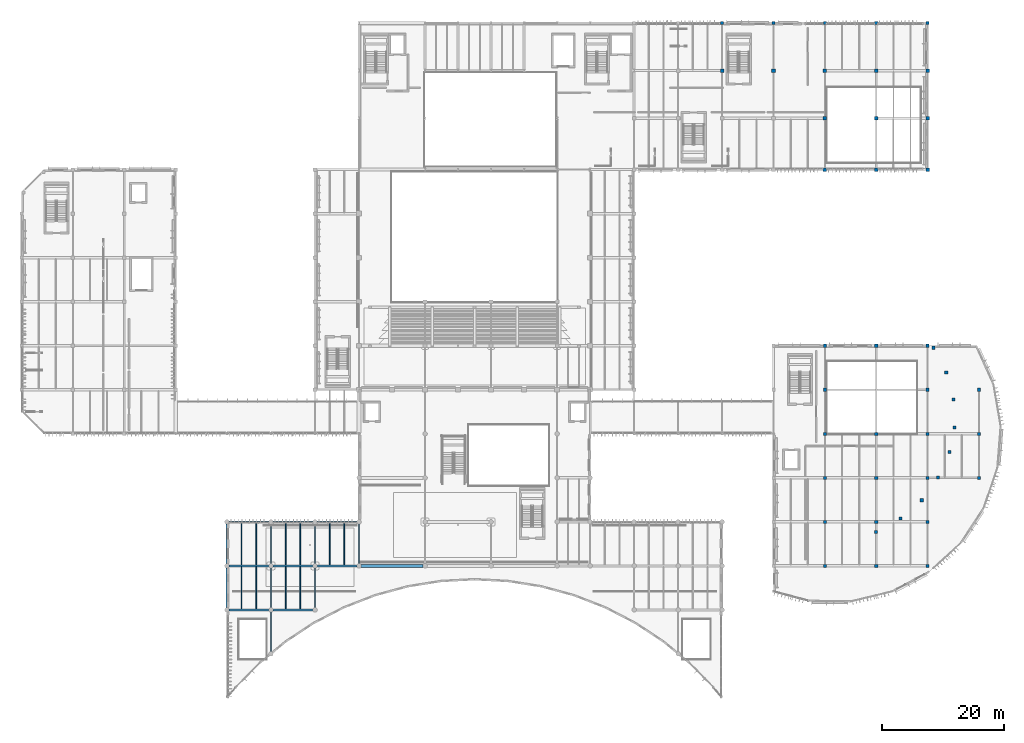
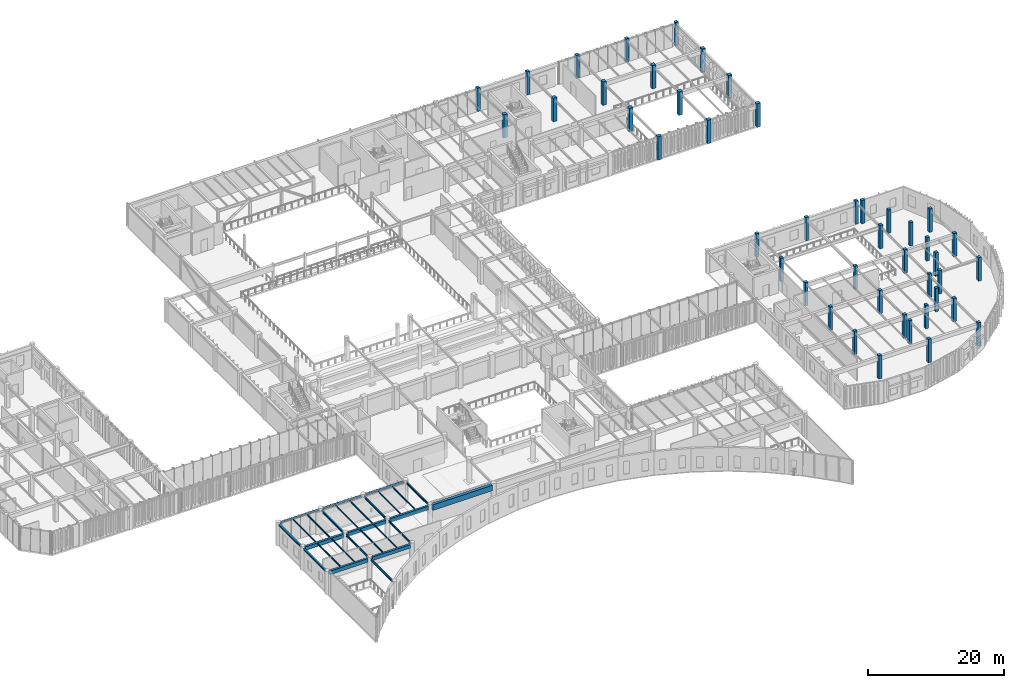
# One storey, part 11 of 122: 45 columns, 27 beams.
"""IFC4 building model written with IfcOpenShell, lengths in metres."""

from ifc_helpers import new_model, si_unit, direction, frame, origin, origin_2d, place, context, subcontext, project, spatial, rectangle, i_section, extrude, material, material_profile, profile_set, type_object, element, save


model = new_model("IFC4")

# Units and contexts
model_context = context("Model", 3, precision=1e-05, world=origin(), true_north=direction((0.0, 1.0)))
body_context = subcontext(model_context, "Body", "Model", "MODEL_VIEW")
ifc_project = project(units=[si_unit("LENGTHUNIT", "METRE"), si_unit("AREAUNIT", "SQUARE_METRE"), si_unit("VOLUMEUNIT", "CUBIC_METRE"), si_unit("PLANEANGLEUNIT", "RADIAN"), si_unit("MASSUNIT", "GRAM", prefix="KILO")], contexts=[model_context])

# Site, building, storey
site_placement = place(None, origin())
site = spatial("IfcSite", under=ifc_project, at=site_placement, CompositionType="ELEMENT")
building_placement = place(site_placement, origin())
building = spatial("IfcBuilding", under=site, at=building_placement, Name="Tazoul Stagehouse", CompositionType="ELEMENT")
storey_placement = place(building_placement, frame((0.0, 0.0, 4.800048828125)))
storey = spatial("IfcBuildingStorey", under=building, at=storey_placement, Name="L01", CompositionType="ELEMENT", Elevation=4.800048828125)

# Columns
ifc_material_1 = material(Name="Concrete C40/50", Category="concrete")
ifc_material_profile_1 = material_profile(ifc_material_1, rectangle(XDim=0.5, YDim=0.5, at=origin_2d()), Name="RC 500x500")
ifc_profile_set_1 = profile_set([ifc_material_profile_1], Name="Concrete C40/50")
column_type_1 = type_object("IfcColumnType", Name="RC Column 500x500", PredefinedType="COLUMN", material=ifc_profile_set_1)
for number, where, z_axis, x_axis, name in (
    (1, (133.800048828125, 23.0, 0.0), (0.0, 0.0, 1.0), (1.0, 0.0, 0.0), "L01 Column C-02 at 20/D"),
    (2, (133.800048828125, 30.199951171875, 0.0), (0.0, 0.0, 1.0), (1.0, 0.0, 0.0), "L01 Column C-02 at 20/E"),
    (3, (133.800048828125, 37.39990234375, 0.0), (0.0, 0.0, 1.0), (1.0, 0.0, 0.0), "L01 Column C-02 at 20/F"),
    (4, (133.800048828125, 44.60009765625, 0.0), (0.0, 0.0, 1.0), (1.0, 0.0, 0.0), "L01 Column C-02 at 20/G"),
    (5, (133.800048828125, 51.800048828125, 0.0), (0.0, 0.0, 1.0), (1.0, 0.0, 0.0), "L01 Column C-02 at 20/H"),
    (6, (142.199951171875, 23.0, 0.0), (0.0, 0.0, 1.0), (1.0, 0.0, 0.0), "L01 Column C-02 at 21/D"),
    (7, (142.199951171875, 30.199951171875, 0.0), (0.0, 0.0, 1.0), (1.0, 0.0, 0.0), "L01 Column C-02 at 21/E"),
    (8, (142.199951171875, 37.39990234375, 0.0), (0.0, 0.0, 1.0), (1.0, 0.0, 0.0), "L01 Column C-02 at 21/F"),
    (9, (142.199951171875, 44.60009765625, 0.0), (0.0, 0.0, 1.0), (1.0, 0.0, 0.0), "L01 Column C-02 at 21/G"),
    (10, (150.60009765625, 23.0, 0.0), (0.0, 0.0, 1.0), (1.0, 0.0, 0.0), "L01 Column C-02 at 22/D"),
    (11, (150.60009765625, 30.199951171875, 0.0), (0.0, 0.0, 1.0), (1.0, 0.0, 0.0), "L01 Column C-02 at 22/E"),
    (12, (150.60009765625, 37.39990234375, 0.0), (0.0, 0.0, 1.0), (1.0, 0.0, 0.0), "L01 Column C-02 at 22/F"),
    (13, (150.60009765625, 44.60009765625, 0.0), (0.0, 0.0, 1.0), (1.0, 0.0, 0.0), "L01 Column C-02 at 22/G"),
    (14, (150.60009765625, 51.800048828125, 0.0), (0.0, 0.0, 1.0), (1.0, 0.0, 0.0), "L01 Column C-02 at 22/H"),
    (15, (159.0, 37.39990234375, 0.0), (0.0, 0.0, 1.0), (1.0, 0.0, 0.0), "L01 Column C-02 at 23/F"),
    (16, (159.0, 44.60009765625, 0.0), (0.0, 0.0, 1.0), (1.0, 0.0, 0.0), "L01 Column C-02 at 23/G"),
    (17, (159.0, 51.800048828125, 0.0), (0.0, 0.0, 1.0), (1.0, 0.0, 0.0), "L01 Column C-02 at 23/H"),
    (18, (151.5283203125, 58.66943359375, 0.0), (0.0, 0.0, 1.0), (1.0, 0.0, 0.0), "L01 Studio Drum Perimeter Column C-02 (01)"),
    (19, (153.6494140625, 54.6162109375, 0.0), (0.0, 0.0, 1.0), (1.0, 0.0, 0.0), "L01 Studio Drum Perimeter Column C-02 (02)"),
    (20, (154.82373046875, 50.19482421875, 0.0), (0.0, 0.0, 1.0), (1.0, 0.0, 0.0), "L01 Studio Drum Perimeter Column C-02 (03)"),
    (21, (154.993408203125, 45.623291015625, 0.0), (0.0, 0.0, 1.0), (1.0, 0.0, 0.0), "L01 Studio Drum Perimeter Column C-02 (04)"),
    (22, (154.14990234375, 41.627197265625, 0.0), (0.0, 0.0, 1.0), (1.0, 0.0, 0.0), "L01 Studio Drum Perimeter Column C-02 (05)"),
    (23, (152.3349609375, 37.427978515625, 0.0), (0.0, 0.0, 1.0), (1.0, 0.0, 0.0), "L01 Studio Drum Perimeter Column C-02 (06)"),
    (24, (149.637939453125, 33.73291015625, 0.0), (0.0, 0.0, 1.0), (1.0, 0.0, 0.0), "L01 Studio Drum Perimeter Column C-02 (07)"),
    (25, (146.19189453125, 30.72412109375, 0.0), (0.0, 0.0, 1.0), (1.0, 0.0, 0.0), "L01 Studio Drum Perimeter Column C-02 (08)"),
    (26, (142.1669921875, 28.550048828125, 0.0), (0.0, 0.0, 1.0), (1.0, 0.0, 0.0), "L01 Studio Drum Perimeter Column C-02 (09)"),
):
    element("IfcColumn", number, at=place(storey_placement, frame(where, z_axis=z_axis, x_axis=x_axis)), inside=storey, type_object=column_type_1, Name=name, PredefinedType="COLUMN", context=body_context, shape_type="SweptSolid", body=[
        extrude(rectangle(XDim=0.5, YDim=0.5, at=origin_2d()), origin(), (0.0, 0.0, 1.0), 4.199951171875),
    ])
ifc_material_profile_2 = material_profile(ifc_material_1, rectangle(XDim=0.5, YDim=0.5, at=origin_2d()), Name="RC 500x500")
ifc_profile_set_2 = profile_set([ifc_material_profile_2], Name="Concrete C40/50")
column_type_2 = type_object("IfcColumnType", Name="RC Column 500x500 (Exterior)", PredefinedType="COLUMN", material=ifc_profile_set_2)
for number, where, z_axis, x_axis, name in (
    (27, (117.0, 111.800048828125, 0.0), (0.0, 0.0, 1.0), (1.0, 0.0, 0.0), "L01 Column C-02E at 18/R"),
    (28, (125.39990234375, 111.800048828125, 0.0), (0.0, 0.0, 1.0), (1.0, 0.0, 0.0), "L01 Column C-02E at 19/R"),
    (29, (133.800048828125, 59.0, 0.0), (0.0, 0.0, 1.0), (1.0, 0.0, 0.0), "L01 Column C-02E at 20/J"),
    (30, (133.800048828125, 111.800048828125, 0.0), (0.0, 0.0, 1.0), (1.0, 0.0, 0.0), "L01 Column C-02E at 20/R"),
    (31, (142.199951171875, 59.0, 0.0), (0.0, 0.0, 1.0), (1.0, 0.0, 0.0), "L01 Column C-02E at 21/J"),
    (32, (142.199951171875, 111.800048828125, 0.0), (0.0, 0.0, 1.0), (1.0, 0.0, 0.0), "L01 Column C-02E at 21/R"),
    (33, (150.60009765625, 59.0, 0.0), (0.0, 0.0, 1.0), (1.0, 0.0, 0.0), "L01 Column C-02E at 22/J"),
    (34, (150.60009765625, 111.800048828125, 0.0), (0.0, 0.0, 1.0), (1.0, 0.0, 0.0), "L01 Column C-02E at 22/R"),
):
    element("IfcColumn", number, at=place(storey_placement, frame(where, z_axis=z_axis, x_axis=x_axis)), inside=storey, type_object=column_type_2, Name=name, PredefinedType="COLUMN", context=body_context, shape_type="SweptSolid", body=[
        extrude(rectangle(XDim=0.5, YDim=0.5, at=origin_2d()), origin(), (0.0, 0.0, 1.0), 4.199951171875),
    ])
ifc_material_profile_3 = material_profile(ifc_material_1, rectangle(XDim=0.60009765625, YDim=0.60009765625, at=origin_2d()), Name="RC 600x600")
ifc_profile_set_3 = profile_set([ifc_material_profile_3], Name="Concrete C40/50")
column_type_3 = type_object("IfcColumnType", Name="RC Column 600x600", PredefinedType="COLUMN", material=ifc_profile_set_3)
for number, where, z_axis, x_axis, name in (
    (35, (117.0, 104.0, 0.0), (0.0, 0.0, 1.0), (1.0, 0.0, 0.0), "L01 Column C-03 at 18/Q"),
    (36, (125.39990234375, 104.0, 0.0), (0.0, 0.0, 1.0), (1.0, 0.0, 0.0), "L01 Column C-03 at 19/Q"),
    (37, (133.800048828125, 96.199951171875, 0.0), (0.0, 0.0, 1.0), (1.0, 0.0, 0.0), "L01 Column C-03 at 20/P"),
    (38, (133.800048828125, 104.0, 0.0), (0.0, 0.0, 1.0), (1.0, 0.0, 0.0), "L01 Column C-03 at 20/Q"),
    (39, (142.199951171875, 96.199951171875, 0.0), (0.0, 0.0, 1.0), (1.0, 0.0, 0.0), "L01 Column C-03 at 21/P"),
    (40, (142.199951171875, 104.0, 0.0), (0.0, 0.0, 1.0), (1.0, 0.0, 0.0), "L01 Column C-03 at 21/Q"),
):
    element("IfcColumn", number, at=place(storey_placement, frame(where, z_axis=z_axis, x_axis=x_axis)), inside=storey, type_object=column_type_3, Name=name, PredefinedType="COLUMN", context=body_context, shape_type="SweptSolid", body=[
        extrude(rectangle(XDim=0.60009765625, YDim=0.60009765625, at=origin_2d()), origin(), (0.0, 0.0, 1.0), 4.199951171875),
    ])
ifc_material_profile_4 = material_profile(ifc_material_1, rectangle(XDim=0.60009765625, YDim=0.60009765625, at=origin_2d()), Name="RC 600x600")
ifc_profile_set_4 = profile_set([ifc_material_profile_4], Name="Concrete C40/50")
column_type_4 = type_object("IfcColumnType", Name="RC Column 600x600 (Exterior)", PredefinedType="COLUMN", material=ifc_profile_set_4)
for number, where, z_axis, x_axis, name in (
    (41, (133.800048828125, 87.800048828125, 0.0), (0.0, 0.0, 1.0), (1.0, 0.0, 0.0), "L01 Column C-03E at 20/N"),
    (42, (142.199951171875, 87.800048828125, 0.0), (0.0, 0.0, 1.0), (1.0, 0.0, 0.0), "L01 Column C-03E at 21/N"),
    (43, (150.60009765625, 87.800048828125, 0.0), (0.0, 0.0, 1.0), (1.0, 0.0, 0.0), "L01 Column C-03E at 22/N"),
    (44, (150.60009765625, 96.199951171875, 0.0), (0.0, 0.0, 1.0), (1.0, 0.0, 0.0), "L01 Column C-03E at 22/P"),
    (45, (150.60009765625, 104.0, 0.0), (0.0, 0.0, 1.0), (1.0, 0.0, 0.0), "L01 Column C-03E at 22/Q"),
):
    element("IfcColumn", number, at=place(storey_placement, frame(where, z_axis=z_axis, x_axis=x_axis)), inside=storey, type_object=column_type_4, Name=name, PredefinedType="COLUMN", context=body_context, shape_type="SweptSolid", body=[
        extrude(rectangle(XDim=0.60009765625, YDim=0.60009765625, at=origin_2d()), origin(), (0.0, 0.0, 1.0), 4.199951171875),
    ])

# Beams
ifc_material_profile_5 = material_profile(ifc_material_1, rectangle(XDim=0.35009765625, YDim=0.64990234375, at=origin_2d()), Name="RC 350x650")
ifc_profile_set_5 = profile_set([ifc_material_profile_5], Name="Concrete C40/50")
beam_type_1 = type_object("IfcBeamType", Name="RC Primary Girder 350x650", PredefinedType="BEAM", material=ifc_profile_set_5)
for number, where, z_axis, x_axis, name in (
    (46, (36.35009765625, 15.800048828125, 3.613037109375), (1.0, 0.0, 0.0), (0.0, 1.0, 0.0), "L01 Beam BM-01 C/5-6"),
    (47, (43.550048828125, 15.800048828125, 3.613037109375), (1.0, 0.0, 0.0), (0.0, 1.0, 0.0), "L01 Beam BM-01 C/6-7"),
    (48, (36.35009765625, 23.0, 3.613037109375), (1.0, 0.0, 0.0), (0.0, 1.0, 0.0), "L01 Beam BM-01 D/5-6"),
    (49, (43.550048828125, 23.0, 3.613037109375), (1.0, 0.0, 0.0), (0.0, 1.0, 0.0), "L01 Beam BM-01 D/6-7"),
    (50, (50.75, 23.0, 3.613037109375), (1.0, 0.0, 0.0), (0.0, 1.0, 0.0), "L01 Beam BM-01 D/7-8"),
):
    element("IfcBeam", number, at=place(storey_placement, frame(where, z_axis=z_axis, x_axis=x_axis)), inside=storey, type_object=beam_type_1, Name=name, PredefinedType="BEAM", context=body_context, shape_type="SweptSolid", body=[
        extrude(rectangle(XDim=0.35009765625, YDim=0.64990234375, at=origin_2d()), origin(), (0.0, 0.0, 1.0), 6.5),
    ])
ifc_material_profile_6 = material_profile(ifc_material_1, rectangle(XDim=0.5, YDim=1.0, at=origin_2d()), Name="RC 500x1000")
ifc_profile_set_6 = profile_set([ifc_material_profile_6], Name="Concrete C40/50")
beam_type_2 = type_object("IfcBeamType", Name="RC Transfer Girder 500x1000", PredefinedType="BEAM", material=ifc_profile_set_6)
beam_placement = place(storey_placement, frame((57.949951171875, 23.0, 3.43798828125), z_axis=(1.0, 0.0, 0.0), x_axis=(0.0, 1.0, 0.0)))
element("IfcBeam", 51, at=beam_placement, inside=storey, type_object=beam_type_2, Name="L01 Beam BM-04 D/8-10", PredefinedType="BEAM", context=body_context, shape_type="SweptSolid", body=[
    extrude(rectangle(XDim=0.5, YDim=1.0, at=origin_2d()), origin(), (0.0, 0.0, 1.0), 10.10009765625),
])
ifc_material_2 = material(Name="Steel S355", Category="steel")
ifc_material_profile_7 = material_profile(ifc_material_2, i_section(OverallWidth=0.300048828125, OverallDepth=0.2900390625, WebThickness=0.008544921875, FlangeThickness=0.013916015625, FilletRadius=0.027099609375, at=origin_2d()), Name="HEA 300")
ifc_profile_set_7 = profile_set([ifc_material_profile_7], Name="Steel S355")
beam_type_3 = type_object("IfcBeamType", Name="Steel Crescent Spandrel HEA 300 (Exterior)", PredefinedType="SPANDREL", material=ifc_profile_set_7)
for number, where, z_axis, x_axis, name in (
    (52, (36.35009765625, 30.199951171875, 3.79296875), (1.0, 0.0, 0.0), (0.0, 1.0, 0.0), "L01 Beam SP-03E E/5-6"),
    (53, (43.550048828125, 30.199951171875, 3.79296875), (1.0, 0.0, 0.0), (0.0, 1.0, 0.0), "L01 Beam SP-03E E/6-7"),
    (54, (50.75, 30.199951171875, 3.79296875), (1.0, 0.0, 0.0), (0.0, 1.0, 0.0), "L01 Beam SP-03E E/7-8"),
):
    element("IfcBeam", number, at=place(storey_placement, frame(where, z_axis=z_axis, x_axis=x_axis)), inside=storey, type_object=beam_type_3, Name=name, PredefinedType="SPANDREL", context=body_context, shape_type="SweptSolid", body=[
        extrude(i_section(OverallWidth=0.300048828125, OverallDepth=0.2900390625, WebThickness=0.008544921875, FlangeThickness=0.013916015625, FilletRadius=0.027099609375, at=origin_2d()), origin(), (0.0, 0.0, 1.0), 6.5),
    ])
ifc_material_profile_8 = material_profile(ifc_material_2, i_section(OverallWidth=0.280029296875, OverallDepth=0.27001953125, WebThickness=0.008056640625, FlangeThickness=0.012939453125, FilletRadius=0.02392578125, at=origin_2d()), Name="HEA 280")
ifc_profile_set_8 = profile_set([ifc_material_profile_8], Name="Steel S355")
beam_type_4 = type_object("IfcBeamType", Name="Steel Facade Spandrel HEA 280 (Exterior)", PredefinedType="SPANDREL", material=ifc_profile_set_8)
for number, where, z_axis, x_axis, name in (
    (55, (36.0, 16.14990234375, 3.802978515625), (0.0, 1.0, 0.0), (-1.0, 0.0, 0.0), "L01 Beam SP-02E 5/C-D"),
    (56, (36.0, 23.35009765625, 3.802978515625), (0.0, 1.0, 0.0), (-1.0, 0.0, 0.0), "L01 Beam SP-02E 5/D-E"),
):
    element("IfcBeam", number, at=place(storey_placement, frame(where, z_axis=z_axis, x_axis=x_axis)), inside=storey, type_object=beam_type_4, Name=name, PredefinedType="SPANDREL", context=body_context, shape_type="SweptSolid", body=[
        extrude(i_section(OverallWidth=0.280029296875, OverallDepth=0.27001953125, WebThickness=0.008056640625, FlangeThickness=0.012939453125, FilletRadius=0.02392578125, at=origin_2d()), origin(), (0.0, 0.0, 1.0), 6.5),
    ])
ifc_material_profile_9 = material_profile(ifc_material_2, i_section(OverallWidth=0.1201171875, OverallDepth=0.239990234375, WebThickness=0.006103515625, FlangeThickness=0.009765625, FilletRadius=0.014892578125, at=origin_2d()), Name="IPE 240")
ifc_profile_set_9 = profile_set([ifc_material_profile_9], Name="Steel S355")
beam_type_5 = type_object("IfcBeamType", Name="Steel Floor Joist IPE 240", PredefinedType="JOIST", material=ifc_profile_set_9)
for number, where, z_axis, x_axis, name in (
    (57, (38.39990234375, 15.949951171875, 3.81787109375), (0.0, 1.0, 0.0), (-1.0, 0.0, 0.0), "L01 Joist JS-01 5/C-1"),
    (58, (40.800048828125, 15.949951171875, 3.81787109375), (0.0, 1.0, 0.0), (-1.0, 0.0, 0.0), "L01 Joist JS-01 5/C-2"),
    (59, (45.60009765625, 15.949951171875, 3.81787109375), (0.0, 1.0, 0.0), (-1.0, 0.0, 0.0), "L01 Joist JS-01 6/C-1"),
    (60, (48.0, 15.949951171875, 3.81787109375), (0.0, 1.0, 0.0), (-1.0, 0.0, 0.0), "L01 Joist JS-01 6/C-2"),
):
    element("IfcBeam", number, at=place(storey_placement, frame(where, z_axis=z_axis, x_axis=x_axis)), inside=storey, type_object=beam_type_5, Name=name, PredefinedType="JOIST", context=body_context, shape_type="SweptSolid", body=[
        extrude(i_section(OverallWidth=0.1201171875, OverallDepth=0.239990234375, WebThickness=0.006103515625, FlangeThickness=0.009765625, FilletRadius=0.014892578125, at=origin_2d()), origin(), (0.0, 0.0, 1.0), 6.900146484375),
    ])
for number, where, z_axis, x_axis, name in (
    (61, (38.39990234375, 23.14990234375, 3.81787109375), (0.0, 1.0, 0.0), (-1.0, 0.0, 0.0), "L01 Joist JS-01 5/D-1"),
    (62, (40.800048828125, 23.14990234375, 3.81787109375), (0.0, 1.0, 0.0), (-1.0, 0.0, 0.0), "L01 Joist JS-01 5/D-2"),
    (63, (45.60009765625, 23.14990234375, 3.81787109375), (0.0, 1.0, 0.0), (-1.0, 0.0, 0.0), "L01 Joist JS-01 6/D-1"),
    (64, (48.0, 23.14990234375, 3.81787109375), (0.0, 1.0, 0.0), (-1.0, 0.0, 0.0), "L01 Joist JS-01 6/D-2"),
    (65, (52.800048828125, 23.14990234375, 3.81787109375), (0.0, 1.0, 0.0), (-1.0, 0.0, 0.0), "L01 Joist JS-01 7/D-1"),
    (66, (55.199951171875, 23.14990234375, 3.81787109375), (0.0, 1.0, 0.0), (-1.0, 0.0, 0.0), "L01 Joist JS-01 7/D-2"),
):
    element("IfcBeam", number, at=place(storey_placement, frame(where, z_axis=z_axis, x_axis=x_axis)), inside=storey, type_object=beam_type_5, Name=name, PredefinedType="JOIST", context=body_context, shape_type="SweptSolid", body=[
        extrude(i_section(OverallWidth=0.1201171875, OverallDepth=0.239990234375, WebThickness=0.006103515625, FlangeThickness=0.009765625, FilletRadius=0.014892578125, at=origin_2d()), origin(), (0.0, 0.0, 1.0), 6.925048828125),
    ])
ifc_material_profile_10 = material_profile(ifc_material_2, i_section(OverallWidth=0.169921875, OverallDepth=0.360107421875, WebThickness=0.008056640625, FlangeThickness=0.0126953125, FilletRadius=0.01806640625, at=origin_2d()), Name="IPE 360")
ifc_profile_set_10 = profile_set([ifc_material_profile_10], Name="Steel S355")
beam_type_6 = type_object("IfcBeamType", Name="Steel Primary Girder IPE 360", PredefinedType="BEAM", material=ifc_profile_set_10)
for number, where, z_axis, x_axis, name in (
    (67, (43.199951171875, 8.949951171875, 3.758056640625), (0.0, 1.0, 0.0), (-1.0, 0.0, 0.0), "L01 Beam SB-01 6/B-C"),
    (68, (43.199951171875, 16.14990234375, 3.758056640625), (0.0, 1.0, 0.0), (-1.0, 0.0, 0.0), "L01 Beam SB-01 6/C-D"),
    (69, (43.199951171875, 23.35009765625, 3.758056640625), (0.0, 1.0, 0.0), (-1.0, 0.0, 0.0), "L01 Beam SB-01 6/D-E"),
    (70, (50.39990234375, 16.14990234375, 3.758056640625), (0.0, 1.0, 0.0), (-1.0, 0.0, 0.0), "L01 Beam SB-01 7/C-D"),
    (71, (50.39990234375, 23.35009765625, 3.758056640625), (0.0, 1.0, 0.0), (-1.0, 0.0, 0.0), "L01 Beam SB-01 7/D-E"),
    (72, (57.60009765625, 23.35009765625, 3.758056640625), (0.0, 1.0, 0.0), (-1.0, 0.0, 0.0), "L01 Beam SB-01 8/D-E"),
):
    element("IfcBeam", number, at=place(storey_placement, frame(where, z_axis=z_axis, x_axis=x_axis)), inside=storey, type_object=beam_type_6, Name=name, PredefinedType="BEAM", context=body_context, shape_type="SweptSolid", body=[
        extrude(i_section(OverallWidth=0.169921875, OverallDepth=0.360107421875, WebThickness=0.008056640625, FlangeThickness=0.0126953125, FilletRadius=0.01806640625, at=origin_2d()), origin(), (0.0, 0.0, 1.0), 6.5),
    ])

save(model, "model.ifc")
